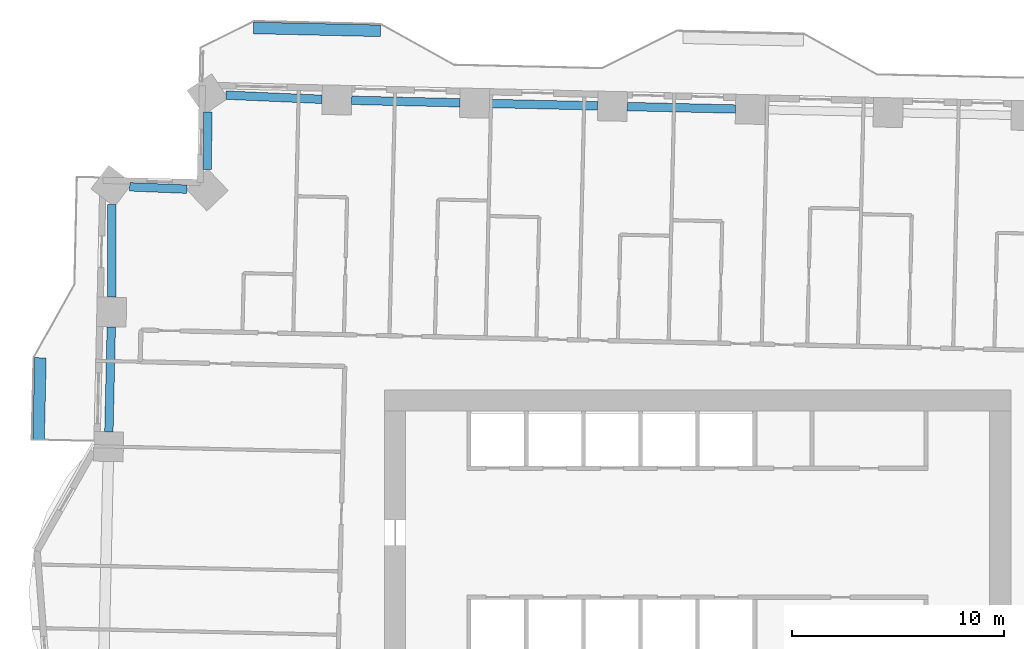
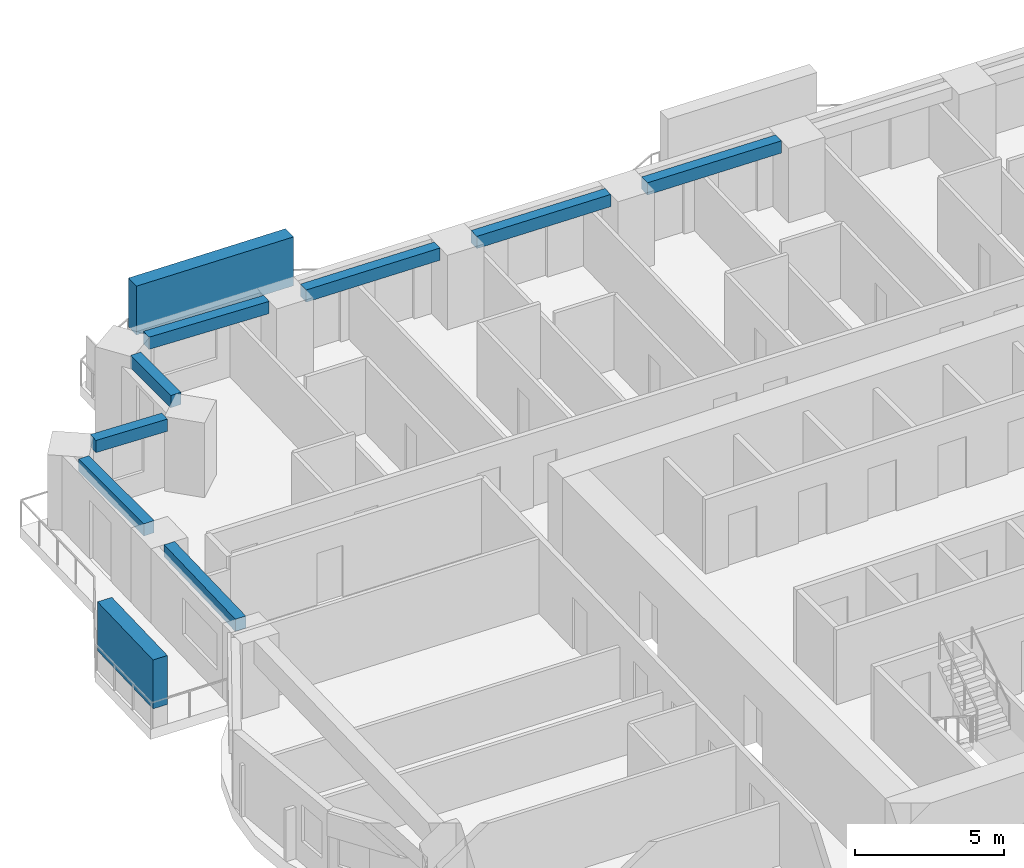
# One storey, part 3 of 16: 8 beams, 2 members.
"""IFC4 building model written with IfcOpenShell, lengths in metres."""

import ifcopenshell
import ifcopenshell.guid

model = None  # the IFC model being written
_history = None  # IfcOwnerHistory: only IFC2X3 demands one
_inside = {}  # id of a spatial element -> (the spatial element, [elements in it])
_under = {}  # id of a project, library or spatial element -> (it, [spatial elements below it])
_declared = {}  # id of a project -> (the project, [libraries it declares])
_typed = {}  # id of a type object -> (the type object, [elements of that type])
_made_of = {}  # id of a material, layer set ... -> (it, [elements and type objects made of it])


def new_model(schema):
    """Start an empty IFC model of exactly this schema.

    Asked for "IFC4X3", IfcOpenShell would pick the latest addendum, in which some entities
    have other attributes; the version numbers below select the first issue.
    IFC2X3 requires an IfcOwnerHistory on every rooted entity: one is made here for all.
    """
    global model, _history
    if schema == "IFC4X3":
        model = ifcopenshell.file(schema_version=(4, 3, 0, 0))
    else:
        model = ifcopenshell.file(schema=schema)
    _inside.clear()
    _under.clear()
    _declared.clear()
    _typed.clear()
    _made_of.clear()
    _history = None
    if model.schema == "IFC2X3":
        org = make("IfcOrganization", Name="unknown")
        user = make(
            "IfcPersonAndOrganization",
            ThePerson=make("IfcPerson", FamilyName="unknown"),
            TheOrganization=org,
        )
        app = make(
            "IfcApplication",
            ApplicationDeveloper=org,
            Version="unknown",
            ApplicationFullName="unknown",
            ApplicationIdentifier="unknown",
        )
        _history = make(
            "IfcOwnerHistory",
            OwningUser=user,
            OwningApplication=app,
            ChangeAction="ADDED",
            CreationDate=0,
        )
    return model


def make(cls, **values):
    """One entity of the class cls with the attributes given. An attribute that is None is left unset."""
    return model.create_entity(
        cls, **{name: value for name, value in values.items() if value is not None}
    )


def rooted(cls, **values):
    """An entity with a GlobalId (a new one), such as an element, a storey or a relation."""
    return make(cls, GlobalId=ifcopenshell.guid.new(), OwnerHistory=_history, **values)


def si_unit(unit_type, name, prefix=None):
    """IfcSIUnit, for example si_unit("LENGTHUNIT", "METRE", prefix="MILLI")."""
    return make("IfcSIUnit", UnitType=unit_type, Prefix=prefix, Name=name)


def assignment(units):
    """IfcUnitAssignment: the units of a project."""
    return None if units is None else make("IfcUnitAssignment", Units=units)


def point(xyz):
    """IfcCartesianPoint."""
    return None if xyz is None else make("IfcCartesianPoint", Coordinates=xyz)


def direction(xyz):
    """IfcDirection."""
    return None if xyz is None else make("IfcDirection", DirectionRatios=xyz)


def frame(location, z_axis=None, x_axis=None):
    """IfcAxis2Placement3D, a coordinate frame: its origin and axes. An axis left out is left unset."""
    return make(
        "IfcAxis2Placement3D",
        Location=point(location),
        Axis=direction(z_axis),
        RefDirection=direction(x_axis),
    )


def frame_2d(location, x_axis=None):
    """IfcAxis2Placement2D, a coordinate frame in the plane: its origin and x axis."""
    return make(
        "IfcAxis2Placement2D", Location=point(location), RefDirection=direction(x_axis)
    )


def origin():
    """The frame at (0, 0, 0) with its axes left unset."""
    return frame((0.0, 0.0, 0.0))


def origin_2d():
    """The frame at (0, 0) in the plane with its x axis left unset."""
    return frame_2d((0.0, 0.0))


def place(relative_to, where):
    """IfcLocalPlacement: puts the frame where relative to a parent placement (None: the world)."""
    return make(
        "IfcLocalPlacement", PlacementRelTo=relative_to, RelativePlacement=where
    )


def context(
    kind, dimensions, precision=None, world=None, true_north=None, identifier=None
):
    """IfcGeometricRepresentationContext, for example the 3D "Model" context."""
    return make(
        "IfcGeometricRepresentationContext",
        ContextIdentifier=identifier,
        ContextType=kind,
        CoordinateSpaceDimension=dimensions,
        Precision=precision,
        WorldCoordinateSystem=world,
        TrueNorth=true_north,
    )


def subcontext(parent, identifier, kind, view, scale=None):
    """IfcGeometricRepresentationSubContext, for example "Body" below "Model"."""
    return make(
        "IfcGeometricRepresentationSubContext",
        ContextIdentifier=identifier,
        ContextType=kind,
        ParentContext=parent,
        TargetScale=scale,
        TargetView=view,
    )


def project(units=None, contexts=None):
    """IfcProject with its units and contexts."""
    return rooted(
        "IfcProject",
        Name="project",
        RepresentationContexts=contexts,
        UnitsInContext=assignment(units),
    )


def spatial(cls, under=None, at=None, **own):
    """A site, building, storey or space (cls), placed at a placement, below another one or the project."""
    s = rooted(cls, ObjectPlacement=at, **own)
    if under is not None:
        _under.setdefault(under.id(), (under, []))[1].append(s)
    return s


def profile(cls, at=None, kind="AREA", **sizes):
    """A parametric profile (cls). Its sizes go by their IFC names, for example OverallWidth=200.0."""
    return make(cls, ProfileType=kind, Position=at, **sizes)


def rectangle(**sizes):
    """IfcRectangleProfileDef."""
    return profile("IfcRectangleProfileDef", **sizes)


def extrude(swept, where, along, depth):
    """IfcExtrudedAreaSolid: the profile swept, set in the frame where, extruded along a direction by depth."""
    return make(
        "IfcExtrudedAreaSolid",
        SweptArea=swept,
        Position=where,
        ExtrudedDirection=direction(along),
        Depth=depth,
    )


def shape(context_of_items, identifier, shape_type, items):
    """IfcShapeRepresentation: the items that make up one representation, for example the "Body"."""
    return make(
        "IfcShapeRepresentation",
        ContextOfItems=context_of_items,
        RepresentationIdentifier=identifier,
        RepresentationType=shape_type,
        Items=items,
    )


def material(Name=None, Category=None):
    """IfcMaterial."""
    return make("IfcMaterial", Name=Name, Category=Category)


def material_profile(
    of_material, cross_section, Name=None, Category=None, Priority=None
):
    """IfcMaterialProfile: a cross section and its material."""
    return make(
        "IfcMaterialProfile",
        Name=Name,
        Material=of_material,
        Profile=cross_section,
        Priority=Priority,
        Category=Category,
    )


def profile_set(profiles, Name=None, composite=None):
    """IfcMaterialProfileSet."""
    return make(
        "IfcMaterialProfileSet",
        Name=Name,
        MaterialProfiles=profiles,
        CompositeProfile=composite,
    )


def made_of(thing, what):
    """Note that an element or type object is made of a material, layer set ...; save() writes the relation."""
    if what is not None:
        _made_of.setdefault(what.id(), (what, []))[1].append(thing)
    return thing


def type_object(cls, material=None, **own):
    """A type object (cls), such as IfcWallType, which elements share."""
    return made_of(rooted(cls, **own), material)


def element(
    cls,
    number,
    at=None,
    inside=None,
    cuts=None,
    type_object=None,
    material=None,
    context=None,
    identifier="Body",
    shape_type=None,
    held_by="IfcProductDefinitionShape",
    body=None,
    shapes=None,
    **own,
):
    """One element of the class cls, such as IfcWall. Its Tag is "e" and its number.

    at: its placement. inside: the storey or other place that contains it. cuts: it is an
    opening in that element (IfcRelVoidsElement). A single representation is given by context,
    identifier, shape_type and body (its items); several are given by shapes. held_by: the class
    of the entity that holds the representations. save() writes the other relations.
    """
    e = rooted(cls, Tag="e%d" % number, ObjectPlacement=at, **own)
    if body is not None:
        shapes = [shape(context, identifier, shape_type, body)]
    if shapes is not None:
        e.Representation = make(held_by, Representations=shapes)
    if inside is not None:
        _inside.setdefault(inside.id(), (inside, []))[1].append(e)
    if cuts is not None:
        rooted(
            "IfcRelVoidsElement", RelatingBuildingElement=cuts, RelatedOpeningElement=e
        )
    if type_object is not None:
        _typed.setdefault(type_object.id(), (type_object, []))[1].append(e)
    return made_of(e, material)


def aggregate(whole, parts):
    """IfcRelAggregates: a whole, such as a stair, and the parts it consists of."""
    return rooted("IfcRelAggregates", RelatingObject=whole, RelatedObjects=parts)


def save(model, path):
    """Write the relations noted so far, then the file.

    IfcRelAggregates (storeys below a building ...), IfcRelContainedInSpatialStructure (elements
    in a storey), IfcRelDefinesByType, IfcRelAssociatesMaterial and IfcRelDeclares: one each for
    every whole, place, type object, material and project.
    """
    for whole, parts in _under.values():
        aggregate(whole, parts)
    for where, things in _inside.values():
        rooted(
            "IfcRelContainedInSpatialStructure",
            RelatedElements=things,
            RelatingStructure=where,
        )
    for kind, things in _typed.values():
        rooted("IfcRelDefinesByType", RelatedObjects=things, RelatingType=kind)
    for what, things in _made_of.values():
        rooted("IfcRelAssociatesMaterial", RelatedObjects=things, RelatingMaterial=what)
    for by, libraries in _declared.values():
        rooted("IfcRelDeclares", RelatingContext=by, RelatedDefinitions=libraries)
    model.write(path)


model = new_model("IFC4")

# Units and contexts
model_context = context("Model", 3, precision=1e-05, world=origin(), true_north=direction((0.0, 1.0)))
body_context = subcontext(model_context, "Body", "Model", "MODEL_VIEW")
ifc_project = project(units=[si_unit("LENGTHUNIT", "METRE"), si_unit("AREAUNIT", "SQUARE_METRE"), si_unit("VOLUMEUNIT", "CUBIC_METRE"), si_unit("PLANEANGLEUNIT", "RADIAN"), si_unit("MASSUNIT", "GRAM", prefix="KILO")], contexts=[model_context])

# Site, building, storey
site_placement = place(None, origin())
site = spatial("IfcSite", under=ifc_project, at=site_placement, CompositionType="ELEMENT")
building_placement = place(site_placement, origin())
building = spatial("IfcBuilding", under=site, at=building_placement, Name="Mangrove Gate Tower", CompositionType="ELEMENT")
storey_placement = place(building_placement, frame((0.0, 0.0, 101.89990234375)))
storey = spatial("IfcBuildingStorey", under=building, at=storey_placement, Name="L25", CompositionType="ELEMENT", Elevation=101.89990234375)

# Members
ifc_material_1 = material(Name="Planting on aluminium trellis", Category="aluminium")
ifc_material_profile_1 = material_profile(ifc_material_1, rectangle(XDim=0.550048828125, YDim=2.0, at=origin_2d()))
ifc_profile_set_1 = profile_set([ifc_material_profile_1], Name="Planting on aluminium trellis")
member_type = type_object("IfcMemberType", Name="Balcony greenery screen 550x2000", PredefinedType="USERDEFINED", material=ifc_profile_set_1)
member_1_placement = place(storey_placement, frame((-20.986083984375, 28.912109375, 1.800048828125), z_axis=(0.999742171567, -0.022706615587, 0.0), x_axis=(0.022706615587, 0.999742171567, 0.0)))
element("IfcMember", 1, at=member_1_placement, inside=storey, type_object=member_type, Name="GREEN SCREEN L25 N1.1", ObjectType="PLANTING", PredefinedType="USERDEFINED", context=body_context, shape_type="SweptSolid", body=[
    extrude(rectangle(XDim=0.550048828125, YDim=2.0, at=origin_2d()), origin(), (0.0, 0.0, 1.0), 5.99951171875),
])
member_2_placement = place(storey_placement, frame((-31.14990234375, 9.447998046875, 1.800048828125), z_axis=(0.022681332769, 0.999742745482, 0.0), x_axis=(-0.999742745482, 0.022681332769, 0.0)))
element("IfcMember", 2, at=member_2_placement, inside=storey, type_object=member_type, Name="GREEN SCREEN L25 W0.1", ObjectType="PLANTING", PredefinedType="USERDEFINED", context=body_context, shape_type="SweptSolid", body=[
    extrude(rectangle(XDim=0.550048828125, YDim=2.0, at=origin_2d()), origin(), (0.0, 0.0, 1.0), 3.875),
])

# Beams
ifc_material_2 = material(Name="Concrete C50/60", Category="concrete")
ifc_material_profile_2 = material_profile(ifc_material_2, rectangle(XDim=0.39990234375, YDim=0.5, at=origin_2d()))
ifc_profile_set_2 = profile_set([ifc_material_profile_2], Name="Concrete C50/60")
beam_type = type_object("IfcBeamType", Name="Edge beam RC 400x500 C50/60", PredefinedType="BEAM", material=ifc_profile_set_2)
beam_1_placement = place(storey_placement, frame((1.790283203125, 25.0791015625, 2.800048828125), z_axis=(-0.99974193409, 0.022717068963, 0.0), x_axis=(-0.022717068963, -0.99974193409, 0.0)))
element("IfcBeam", 3, at=beam_1_placement, inside=storey, type_object=beam_type, Name="Edge beam L25 23", PredefinedType="BEAM", context=body_context, shape_type="SweptSolid", body=[
    extrude(rectangle(XDim=0.39990234375, YDim=0.5, at=origin_2d()), origin(), (0.0, 0.0, 1.0), 5.115478515625),
])
beam_2_placement = place(storey_placement, frame((-4.7236328125, 25.22705078125, 2.800048828125), z_axis=(-0.999741958717, 0.022715985123, 0.0), x_axis=(-0.022715985123, -0.999741958717, 0.0)))
element("IfcBeam", 4, at=beam_2_placement, inside=storey, type_object=beam_type, Name="Edge beam L25 24", PredefinedType="BEAM", context=body_context, shape_type="SweptSolid", body=[
    extrude(rectangle(XDim=0.39990234375, YDim=0.5, at=origin_2d()), origin(), (0.0, 0.0, 1.0), 5.11572265625),
])
beam_3_placement = place(storey_placement, frame((-11.23779296875, 25.375, 2.800048828125), z_axis=(-0.999741835545, 0.022721405353, 0.0), x_axis=(-0.022721405353, -0.999741835545, 0.0)))
element("IfcBeam", 5, at=beam_3_placement, inside=storey, type_object=beam_type, Name="Edge beam L25 25", PredefinedType="BEAM", context=body_context, shape_type="SweptSolid", body=[
    extrude(rectangle(XDim=0.39990234375, YDim=0.5, at=origin_2d()), origin(), (0.0, 0.0, 1.0), 5.114501953125),
])
beam_4_placement = place(storey_placement, frame((-17.750244140625, 25.53759765625, 2.800048828125), z_axis=(-0.999052301684, 0.043525837154, 0.0), x_axis=(-0.043525837154, -0.999052301684, 0.0)))
element("IfcBeam", 6, at=beam_4_placement, inside=storey, type_object=beam_type, Name="Edge beam L25 26", PredefinedType="BEAM", context=body_context, shape_type="SweptSolid", body=[
    extrude(rectangle(XDim=0.39990234375, YDim=0.5, at=origin_2d()), origin(), (0.0, 0.0, 1.0), 4.54345703125),
])
beam_5_placement = place(storey_placement, frame((-23.16064453125, 24.927978515625, 2.800048828125), z_axis=(-0.002614959499, -0.999996580988, 0.0), x_axis=(0.999996580988, -0.002614959499, 0.0)))
element("IfcBeam", 7, at=beam_5_placement, inside=storey, type_object=beam_type, Name="Edge beam L25 27", PredefinedType="BEAM", context=body_context, shape_type="SweptSolid", body=[
    extrude(rectangle(XDim=0.39990234375, YDim=0.5, at=origin_2d()), origin(), (0.0, 0.0, 1.0), 2.70751953125),
])
beam_6_placement = place(storey_placement, frame((-24.1416015625, 21.2900390625, 2.800048828125), z_axis=(-0.999144150658, 0.041363827262, 0.0), x_axis=(-0.041363827262, -0.999144150658, 0.0)))
element("IfcBeam", 8, at=beam_6_placement, inside=storey, type_object=beam_type, Name="Edge beam L25 28", PredefinedType="BEAM", context=body_context, shape_type="SweptSolid", body=[
    extrude(rectangle(XDim=0.39990234375, YDim=0.5, at=origin_2d()), origin(), (0.0, 0.0, 1.0), 2.703125),
])
beam_7_placement = place(storey_placement, frame((-27.694580078125, 20.55908203125, 2.800048828125), z_axis=(-0.000502148015, -0.999999873924, 0.0), x_axis=(0.999999873924, -0.000502148015, 0.0)))
element("IfcBeam", 9, at=beam_7_placement, inside=storey, type_object=beam_type, Name="Edge beam L25 29", PredefinedType="BEAM", context=body_context, shape_type="SweptSolid", body=[
    extrude(rectangle(XDim=0.39990234375, YDim=0.5, at=origin_2d()), origin(), (0.0, 0.0, 1.0), 4.375732421875),
])
beam_8_placement = place(storey_placement, frame((-27.713134765625, 14.783203125, 2.800048828125), z_axis=(-0.022630883757, -0.999743888754, 0.0), x_axis=(0.999743888754, -0.022630883757, 0.0)))
element("IfcBeam", 10, at=beam_8_placement, inside=storey, type_object=beam_type, Name="Edge beam L25 30", PredefinedType="BEAM", context=body_context, shape_type="SweptSolid", body=[
    extrude(rectangle(XDim=0.39990234375, YDim=0.5, at=origin_2d()), origin(), (0.0, 0.0, 1.0), 4.96240234375),
])

save(model, "model.ifc")
